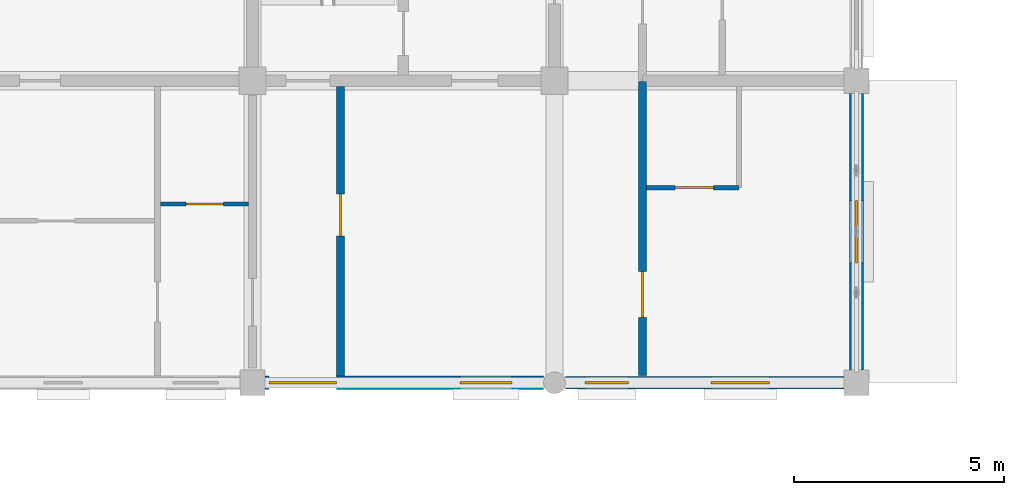
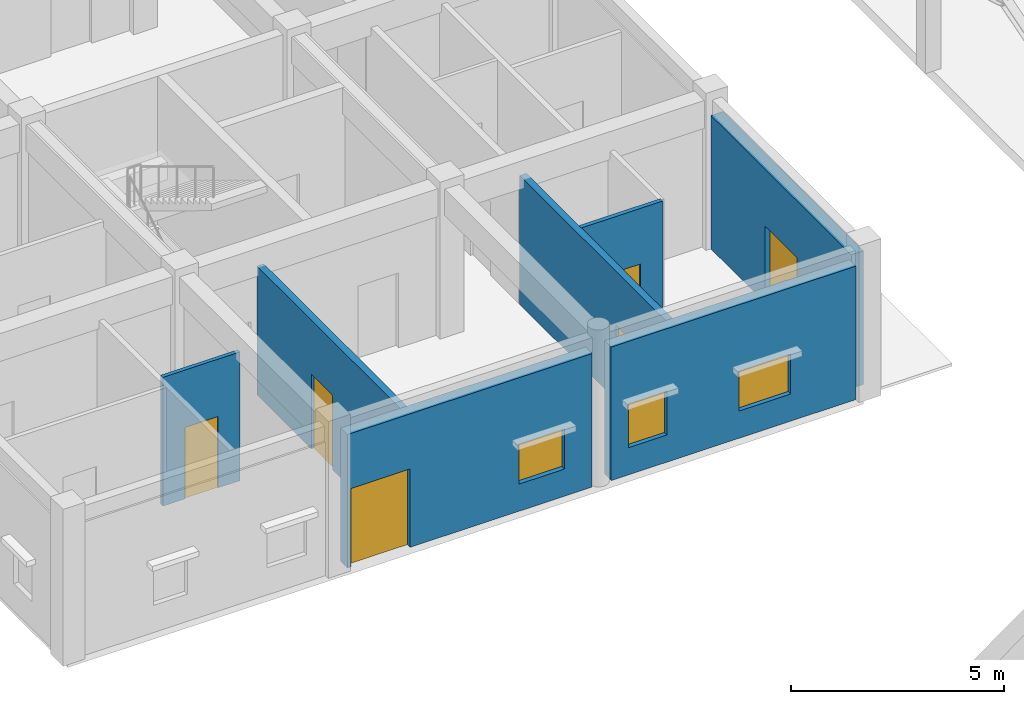
# One storey, part 100 of 138: 7 walls, 6 doors, 3 windows, 9 openings.
"""IFC4 building model written with IfcOpenShell, lengths in metres."""

from ifc_helpers import new_model, si_unit, direction, frame, frame_2d, origin, place, context, subcontext, project, spatial, rectangle, extrude, material, layer, layer_set, type_object, element, fill, save


model = new_model("IFC4")

# Units and contexts
model_context = context("Model", 3, precision=1e-05, world=origin(), true_north=direction((0.0, 1.0)))
body_context = subcontext(model_context, "Body", "Model", "MODEL_VIEW")
ifc_project = project(units=[si_unit("LENGTHUNIT", "METRE"), si_unit("AREAUNIT", "SQUARE_METRE"), si_unit("VOLUMEUNIT", "CUBIC_METRE"), si_unit("PLANEANGLEUNIT", "RADIAN"), si_unit("MASSUNIT", "GRAM", prefix="KILO"), si_unit("THERMODYNAMICTEMPERATUREUNIT", "KELVIN"), si_unit("POWERUNIT", "WATT")], contexts=[model_context])

# Site, building, storey
site_placement = place(None, origin())
site = spatial("IfcSite", under=ifc_project, at=site_placement, CompositionType="ELEMENT")
building_placement = place(site_placement, origin())
building = spatial("IfcBuilding", under=site, at=building_placement, Name="Tavuni Mirador Residences", CompositionType="ELEMENT")
storey_placement = place(building_placement, origin())
storey = spatial("IfcBuildingStorey", under=building, at=storey_placement, Name="L00", CompositionType="ELEMENT", Elevation=0.0)

# Wall, opening, door
ifc_material_1 = material(Name="Precast concrete C40/50", Category="concrete")
ifc_layer_1 = layer(ifc_material_1, 0.18505859375, Name="Precast concrete C40/50", Category="concrete")
ifc_layer_set_1 = layer_set([ifc_layer_1], Name="Precast concrete C40/50")
wall_type_1 = type_object("IfcWallType", Name="WT-CORR185", PredefinedType="PARTITIONING", material=ifc_layer_set_1)
wall_1_placement = place(storey_placement, frame((20.10009765625, 64.97509765625, 0.0), z_axis=(0.0, 0.0, 1.0), x_axis=(0.0, 1.0, 0.0)))
wall_1 = element("IfcWall", 1, at=wall_1_placement, inside=storey, type_object=wall_type_1, Name="CORW-BLK-B-L00-0-00", PredefinedType="PARTITIONING", context=body_context, shape_type="SweptSolid", body=[
    extrude(rectangle(XDim=7.0048828125, YDim=0.18505859375, at=frame_2d((3.50244140625, 0.0))), origin(), (0.0, 0.0, 1.0), 3.695068359375),
])
opening_1_placement = place(wall_1_placement, frame((1.375, 0.0, 0.0)))
opening_1 = element("IfcOpeningElement", 2, at=opening_1_placement, cuts=wall_1, Name="Opening D-02", PredefinedType="OPENING", context=body_context, shape_type="SweptSolid", body=[
    extrude(rectangle(XDim=1.10009765625, YDim=2.14990234375, at=frame_2d((0.550048828125, 1.074951171875))), frame((0.0, 0.1025390625, 0.0), z_axis=(0.0, -1.0, 0.0), x_axis=(1.0, 0.0, 0.0)), (0.0, 0.0, 1.0), 0.205078125),
])
ifc_material_2 = material(Name="Solid core iroko timber", Category="wood")
door_type_1 = type_object("IfcDoorType", Name="DT-LOB1100", OperationType="NOTDEFINED", PredefinedType="DOOR", material=ifc_material_2)
door_1_placement = place(opening_1_placement, origin())
door_1 = element("IfcDoor", 3, at=door_1_placement, inside=storey, type_object=door_type_1, Name="DR-2529", OperationType="SINGLE_SWING_RIGHT", OverallHeight=2.14990234375, OverallWidth=1.10009765625, PredefinedType="DOOR", context=body_context, shape_type="SweptSolid", body=[
    extrude(rectangle(XDim=1.10009765625, YDim=2.14990234375, at=frame_2d((0.550048828125, 1.074951171875))), frame((0.0, 0.02490234375, 0.0), z_axis=(0.0, -1.0, 0.0), x_axis=(1.0, 0.0, 0.0)), (0.0, 0.0, 1.0), 0.050048828125),
])
fill(opening_1, door_1)

wall_2_placement = place(storey_placement, frame((12.89990234375, 71.860107421875, 0.0), z_axis=(0.0, 0.0, 1.0), x_axis=(0.0, -1.0, 0.0)))
wall_2 = element("IfcWall", 4, at=wall_2_placement, inside=storey, type_object=wall_type_1, Name="XPW-ST3-E", PredefinedType="PARTITIONING", context=body_context, shape_type="SweptSolid", body=[
    extrude(rectangle(XDim=6.900146484375, YDim=0.18505859375, at=frame_2d((3.4501953125, 0.0))), origin(), (0.0, 0.0, 1.0), 3.695068359375),
])
opening_2_placement = place(wall_2_placement, frame((2.56005859375, 0.0, 0.0)))
opening_2 = element("IfcOpeningElement", 5, at=opening_2_placement, cuts=wall_2, Name="Opening D-03", PredefinedType="OPENING", context=body_context, shape_type="SweptSolid", body=[
    extrude(rectangle(XDim=1.0, YDim=2.14990234375, at=frame_2d((0.5, 1.074951171875))), frame((0.0, 0.1025390625, 0.0), z_axis=(0.0, -1.0, 0.0), x_axis=(1.0, 0.0, 0.0)), (0.0, 0.0, 1.0), 0.205078125),
])
door_type_2 = type_object("IfcDoorType", Name="DT-FD60-1000", OperationType="NOTDEFINED", PredefinedType="DOOR", material=ifc_material_2)
door_2_placement = place(opening_2_placement, origin())
door_2 = element("IfcDoor", 6, at=door_2_placement, inside=storey, type_object=door_type_2, Name="DR-4843", OperationType="SINGLE_SWING_LEFT", OverallHeight=2.14990234375, OverallWidth=1.0, PredefinedType="DOOR", context=body_context, shape_type="SweptSolid", body=[
    extrude(rectangle(XDim=1.0, YDim=2.14990234375, at=frame_2d((0.5, 1.074951171875))), frame((0.0, 0.02490234375, 0.0), z_axis=(0.0, -1.0, 0.0), x_axis=(1.0, 0.0, 0.0)), (0.0, 0.0, 1.0), 0.050048828125),
])
fill(opening_2, door_2)

ifc_layer_2 = layer(ifc_material_1, 0.330078125, Name="Precast concrete C40/50", Category="concrete")
ifc_layer_set_2 = layer_set([ifc_layer_2], Name="Precast concrete C40/50")
wall_type_2 = type_object("IfcWallType", Name="WT-EXT-COR330", PredefinedType="SOLIDWALL", material=ifc_layer_set_2)
wall_3_placement = place(storey_placement, frame((25.199951171875, 65.10009765625, 0.0), z_axis=(0.0, 0.0, 1.0), x_axis=(0.0, 1.0, 0.0)))
wall_3 = element("IfcWall", 7, at=wall_3_placement, inside=storey, type_object=wall_type_2, Name="EW-BLK-B-L00-E00", PredefinedType="SOLIDWALL", context=body_context, shape_type="SweptSolid", body=[
    extrude(rectangle(XDim=6.599853515625, YDim=0.330078125, at=frame_2d((3.2998046875, 0.0))), origin(), (0.0, 0.0, 1.0), 3.830078125),
])
opening_3_placement = place(wall_3_placement, frame((2.550048828125, 0.0, 0.0)))
opening_3 = element("IfcOpeningElement", 8, at=opening_3_placement, cuts=wall_3, Name="Opening SD-02", PredefinedType="OPENING", context=body_context, shape_type="SweptSolid", body=[
    extrude(rectangle(XDim=1.5, YDim=2.199951171875, at=frame_2d((0.75, 1.10009765625))), frame((0.0, 0.175048828125, 0.0), z_axis=(0.0, -1.0, 0.0), x_axis=(1.0, 0.0, 0.0)), (0.0, 0.0, 1.0), 0.35009765625),
])
ifc_material_3 = material(Name="Anodised aluminium", Category="aluminium")
door_type_3 = type_object("IfcDoorType", Name="DT-SHP1500", OperationType="NOTDEFINED", PredefinedType="DOOR", material=ifc_material_3)
door_3_placement = place(opening_3_placement, frame((1.5, 0.0, 0.0), z_axis=(0.0, 0.0, 1.0), x_axis=(-1.0, 0.0, 0.0)))
door_3 = element("IfcDoor", 9, at=door_3_placement, inside=storey, type_object=door_type_3, Name="Final exit door EX-007", OperationType="SINGLE_SWING_RIGHT", OverallHeight=2.199951171875, OverallWidth=1.5, PredefinedType="DOOR", context=body_context, shape_type="SweptSolid", body=[
    extrude(rectangle(XDim=1.5, YDim=2.199951171875, at=frame_2d((0.75, 1.10009765625))), frame((0.0, 0.02490234375, 0.0), z_axis=(0.0, -1.0, 0.0), x_axis=(1.0, 0.0, 0.0)), (0.0, 0.0, 1.0), 0.050048828125),
])
fill(opening_3, door_3)

# Wall, openings, windows
ifc_material_4 = material(Name="Sgraffito lime-rendered precast concrete C40/50", Category="concrete")
ifc_layer_3 = layer(ifc_material_4, 0.304931640625, Name="Sgraffito lime-rendered precast concrete C40/50", Category="concrete")
ifc_layer_set_3 = layer_set([ifc_layer_3], Name="Sgraffito lime-rendered precast concrete C40/50")
wall_type_3 = type_object("IfcWallType", Name="WT-EXT-PC305", PredefinedType="SOLIDWALL", material=ifc_layer_set_3)
wall_4_placement = place(storey_placement, frame((18.260009765625, 64.800048828125, 0.0), z_axis=(0.0, 0.0, 1.0), x_axis=(1.0, 0.0, 0.0)))
wall_4 = element("IfcWall", 10, at=wall_4_placement, inside=storey, type_object=wall_type_3, Name="EW-BLK-B-L00-S02", PredefinedType="SOLIDWALL", context=body_context, shape_type="SweptSolid", body=[
    extrude(rectangle(XDim=6.639892578125, YDim=0.304931640625, at=frame_2d((3.31982421875, 0.0))), origin(), (0.0, 0.0, 1.0), 3.830078125),
])
opening_4_placement = place(wall_4_placement, frame((0.469970703125, 0.0, 0.780029296875)))
opening_4 = element("IfcOpeningElement", 11, at=opening_4_placement, cuts=wall_4, Name="Opening WN-11", PredefinedType="OPENING", context=body_context, shape_type="SweptSolid", body=[
    extrude(rectangle(XDim=1.0400390625, YDim=1.260009765625, at=frame_2d((0.52001953125, 0.6298828125))), frame((0.0, 0.16259765625, 0.0), z_axis=(0.0, -1.0, 0.0), x_axis=(1.0, 0.0, 0.0)), (0.0, 0.0, 1.0), 0.324951171875),
])
opening_5_placement = place(wall_4_placement, frame((3.469970703125, 0.0, 0.780029296875)))
opening_5 = element("IfcOpeningElement", 12, at=opening_5_placement, cuts=wall_4, Name="Opening WN-08", PredefinedType="OPENING", context=body_context, shape_type="SweptSolid", body=[
    extrude(rectangle(XDim=1.39990234375, YDim=1.14990234375, at=frame_2d((0.699951171875, 0.574951171875))), frame((0.0, 0.16259765625, 0.0), z_axis=(0.0, -1.0, 0.0), x_axis=(1.0, 0.0, 0.0)), (0.0, 0.0, 1.0), 0.324951171875),
])
ifc_material_5 = material(Name="Laminated solar-control glass", Category="glass")
window_type_1 = type_object("IfcWindowType", Name="WNT-08", PartitioningType="SINGLE_PANEL", PredefinedType="WINDOW", material=ifc_material_5)
window_1_placement = place(opening_5_placement, origin())
window_1 = element("IfcWindow", 13, at=window_1_placement, inside=storey, type_object=window_type_1, Name="WIN-0546", OverallHeight=1.14990234375, OverallWidth=1.39990234375, PartitioningType="SINGLE_PANEL", PredefinedType="WINDOW", context=body_context, shape_type="SweptSolid", body=[
    extrude(rectangle(XDim=1.39990234375, YDim=1.14990234375, at=frame_2d((0.699951171875, 0.574951171875))), frame((0.0, 0.030029296875, 0.0), z_axis=(0.0, -1.0, 0.0), x_axis=(1.0, 0.0, 0.0)), (0.0, 0.0, 1.0), 0.06005859375),
])
fill(opening_5, window_1)
window_type_2 = type_object("IfcWindowType", Name="WNT-11", PartitioningType="SINGLE_PANEL", PredefinedType="WINDOW", material=ifc_material_5)
window_2_placement = place(opening_4_placement, origin())
window_2 = element("IfcWindow", 14, at=window_2_placement, inside=storey, type_object=window_type_2, Name="WIN-0545", OverallHeight=1.260009765625, OverallWidth=1.0400390625, PartitioningType="SINGLE_PANEL", PredefinedType="WINDOW", context=body_context, shape_type="SweptSolid", body=[
    extrude(rectangle(XDim=1.0400390625, YDim=1.260009765625, at=frame_2d((0.52001953125, 0.6298828125))), frame((0.0, 0.030029296875, 0.0), z_axis=(0.0, -1.0, 0.0), x_axis=(1.0, 0.0, 0.0)), (0.0, 0.0, 1.0), 0.06005859375),
])
fill(opening_4, window_2)

# Wall, openings, door, window
ifc_layer_4 = layer(ifc_material_4, 0.31494140625, Name="Sgraffito lime-rendered precast concrete C40/50", Category="concrete")
ifc_layer_set_4 = layer_set([ifc_layer_4], Name="Sgraffito lime-rendered precast concrete C40/50")
wall_type_4 = type_object("IfcWallType", Name="WT-EXT-PC315", PredefinedType="SOLIDWALL", material=ifc_layer_set_4)
wall_5_placement = place(storey_placement, frame((11.10009765625, 64.800048828125, 0.0), z_axis=(0.0, 0.0, 1.0), x_axis=(1.0, 0.0, 0.0)))
wall_5 = element("IfcWall", 15, at=wall_5_placement, inside=storey, type_object=wall_type_4, Name="EW-BLK-B-L00-S01", PredefinedType="SOLIDWALL", context=body_context, shape_type="SweptSolid", body=[
    extrude(rectangle(XDim=6.639892578125, YDim=0.31494140625, at=frame_2d((3.31982421875, 0.0))), origin(), (0.0, 0.0, 1.0), 3.830078125),
])
opening_6_placement = place(wall_5_placement, frame((4.64990234375, 0.0, 0.780029296875)))
opening_6 = element("IfcOpeningElement", 16, at=opening_6_placement, cuts=wall_5, Name="Opening WN-06", PredefinedType="OPENING", context=body_context, shape_type="SweptSolid", body=[
    extrude(rectangle(XDim=1.239990234375, YDim=1.14990234375, at=frame_2d((0.6201171875, 0.574951171875))), frame((0.0, 0.16748046875, 0.0), z_axis=(0.0, -1.0, 0.0), x_axis=(1.0, 0.0, 0.0)), (0.0, 0.0, 1.0), 0.3349609375),
])
opening_7_placement = place(wall_5_placement, frame((0.10009765625, 0.0, 0.0)))
opening_7 = element("IfcOpeningElement", 17, at=opening_7_placement, cuts=wall_5, Name="Opening EN-01", PredefinedType="OPENING", context=body_context, shape_type="SweptSolid", body=[
    extrude(rectangle(XDim=1.60009765625, YDim=2.25, at=frame_2d((0.800048828125, 1.125))), frame((0.0, 0.16748046875, 0.0), z_axis=(0.0, -1.0, 0.0), x_axis=(1.0, 0.0, 0.0)), (0.0, 0.0, 1.0), 0.3349609375),
])
door_type_4 = type_object("IfcDoorType", Name="DT-ENT1600", OperationType="DOUBLE_DOOR_SINGLE_SWING", PredefinedType="DOOR", material=ifc_material_3)
door_4_placement = place(opening_7_placement, frame((1.60009765625, 0.0, 0.0), z_axis=(0.0, 0.0, 1.0), x_axis=(-1.0, 0.0, 0.0)))
door_4 = element("IfcDoor", 18, at=door_4_placement, inside=storey, type_object=door_type_4, Name="Final exit door EX-036", OperationType="DOUBLE_DOOR_SINGLE_SWING", OverallHeight=2.25, OverallWidth=1.60009765625, PredefinedType="DOOR", context=body_context, shape_type="SweptSolid", body=[
    extrude(rectangle(XDim=1.60009765625, YDim=2.25, at=frame_2d((0.800048828125, 1.125))), frame((0.0, 0.02490234375, 0.0), z_axis=(0.0, -1.0, 0.0), x_axis=(1.0, 0.0, 0.0)), (0.0, 0.0, 1.0), 0.050048828125),
])
fill(opening_7, door_4)
window_type_3 = type_object("IfcWindowType", Name="WNT-06", PartitioningType="SINGLE_PANEL", PredefinedType="WINDOW", material=ifc_material_5)
window_3_placement = place(opening_6_placement, origin())
window_3 = element("IfcWindow", 19, at=window_3_placement, inside=storey, type_object=window_type_3, Name="WIN-0544", OverallHeight=1.14990234375, OverallWidth=1.239990234375, PartitioningType="SINGLE_PANEL", PredefinedType="WINDOW", context=body_context, shape_type="SweptSolid", body=[
    extrude(rectangle(XDim=1.239990234375, YDim=1.14990234375, at=frame_2d((0.6201171875, 0.574951171875))), frame((0.0, 0.030029296875, 0.0), z_axis=(0.0, -1.0, 0.0), x_axis=(1.0, 0.0, 0.0)), (0.0, 0.0, 1.0), 0.06005859375),
])
fill(opening_6, window_3)

# Wall, opening, door
ifc_material_6 = material(Name="Acoustic gypsum and concrete block partition", Category="concrete")
ifc_layer_5 = layer(ifc_material_6, 0.10498046875, Name="Acoustic gypsum and concrete block partition", Category="concrete")
ifc_layer_set_5 = layer_set([ifc_layer_5], Name="Acoustic gypsum and concrete block partition")
wall_type_5 = type_object("IfcWallType", Name="WT-PART105", PredefinedType="PARTITIONING", material=ifc_layer_set_5)
wall_6_placement = place(storey_placement, frame((8.610107421875, 69.06005859375, 0.0), z_axis=(0.0, 0.0, 1.0), x_axis=(1.0, 0.0, 0.0)))
wall_6 = element("IfcWall", 20, at=wall_6_placement, inside=storey, type_object=wall_type_5, Name="PW-BLK-B-L00-W00-IN1", PredefinedType="PARTITIONING", context=body_context, shape_type="SweptSolid", body=[
    extrude(rectangle(XDim=2.099853515625, YDim=0.10498046875, at=frame_2d((1.0498046875, 0.0))), origin(), (0.0, 0.0, 1.0), 3.695068359375),
])
opening_8_placement = place(wall_6_placement, frame((0.60009765625, 0.0, 0.0)))
opening_8 = element("IfcOpeningElement", 21, at=opening_8_placement, cuts=wall_6, Name="Opening D-09", PredefinedType="OPENING", context=body_context, shape_type="SweptSolid", body=[
    extrude(rectangle(XDim=0.89990234375, YDim=2.050048828125, at=frame_2d((0.449951171875, 1.02490234375))), frame((0.0, 0.0625, 0.0), z_axis=(0.0, -1.0, 0.0), x_axis=(1.0, 0.0, 0.0)), (0.0, 0.0, 1.0), 0.125),
])
door_type_5 = type_object("IfcDoorType", Name="DT-WC900", OperationType="NOTDEFINED", PredefinedType="DOOR", material=ifc_material_2)
door_5_placement = place(opening_8_placement, origin())
door_5 = element("IfcDoor", 22, at=door_5_placement, inside=storey, type_object=door_type_5, Name="DR-3425", OperationType="SINGLE_SWING_RIGHT", OverallHeight=2.050048828125, OverallWidth=0.89990234375, PredefinedType="DOOR", context=body_context, shape_type="SweptSolid", body=[
    extrude(rectangle(XDim=0.89990234375, YDim=2.050048828125, at=frame_2d((0.449951171875, 1.02490234375))), frame((0.0, 0.02490234375, 0.0), z_axis=(0.0, -1.0, 0.0), x_axis=(1.0, 0.0, 0.0)), (0.0, 0.0, 1.0), 0.050048828125),
])
fill(opening_8, door_5)

ifc_layer_6 = layer(ifc_material_6, 0.114990234375, Name="Acoustic gypsum and concrete block partition", Category="concrete")
ifc_layer_set_6 = layer_set([ifc_layer_6], Name="Acoustic gypsum and concrete block partition")
wall_type_6 = type_object("IfcWallType", Name="WT-PART115", PredefinedType="PARTITIONING", material=ifc_layer_set_6)
wall_7_placement = place(storey_placement, frame((20.18994140625, 69.449951171875, 0.0), z_axis=(0.0, 0.0, 1.0), x_axis=(1.0, 0.0, 0.0)))
wall_7 = element("IfcWall", 23, at=wall_7_placement, inside=storey, type_object=wall_type_6, Name="PW-BLK-B-L00-E00-2", PredefinedType="PARTITIONING", context=body_context, shape_type="SweptSolid", body=[
    extrude(rectangle(XDim=2.2099609375, YDim=0.114990234375, at=frame_2d((1.10498046875, 0.0))), origin(), (0.0, 0.0, 1.0), 3.695068359375),
])
opening_9_placement = place(wall_7_placement, frame((0.679931640625, 0.0, 0.0)))
opening_9 = element("IfcOpeningElement", 24, at=opening_9_placement, cuts=wall_7, Name="Opening D-06", PredefinedType="OPENING", context=body_context, shape_type="SweptSolid", body=[
    extrude(rectangle(XDim=0.919921875, YDim=2.10009765625, at=frame_2d((0.4599609375, 1.050048828125))), frame((0.0, 0.0673828125, 0.0), z_axis=(0.0, -1.0, 0.0), x_axis=(1.0, 0.0, 0.0)), (0.0, 0.0, 1.0), 0.135009765625),
])
door_type_6 = type_object("IfcDoorType", Name="DT-INT920", OperationType="NOTDEFINED", PredefinedType="DOOR", material=ifc_material_2)
door_6_placement = place(opening_9_placement, origin())
door_6 = element("IfcDoor", 25, at=door_6_placement, inside=storey, type_object=door_type_6, Name="DR-3427", OperationType="SINGLE_SWING_RIGHT", OverallHeight=2.10009765625, OverallWidth=0.919921875, PredefinedType="DOOR", context=body_context, shape_type="SweptSolid", body=[
    extrude(rectangle(XDim=0.919921875, YDim=2.10009765625, at=frame_2d((0.4599609375, 1.050048828125))), frame((0.0, 0.02490234375, 0.0), z_axis=(0.0, -1.0, 0.0), x_axis=(1.0, 0.0, 0.0)), (0.0, 0.0, 1.0), 0.050048828125),
])
fill(opening_9, door_6)

save(model, "model.ifc")
